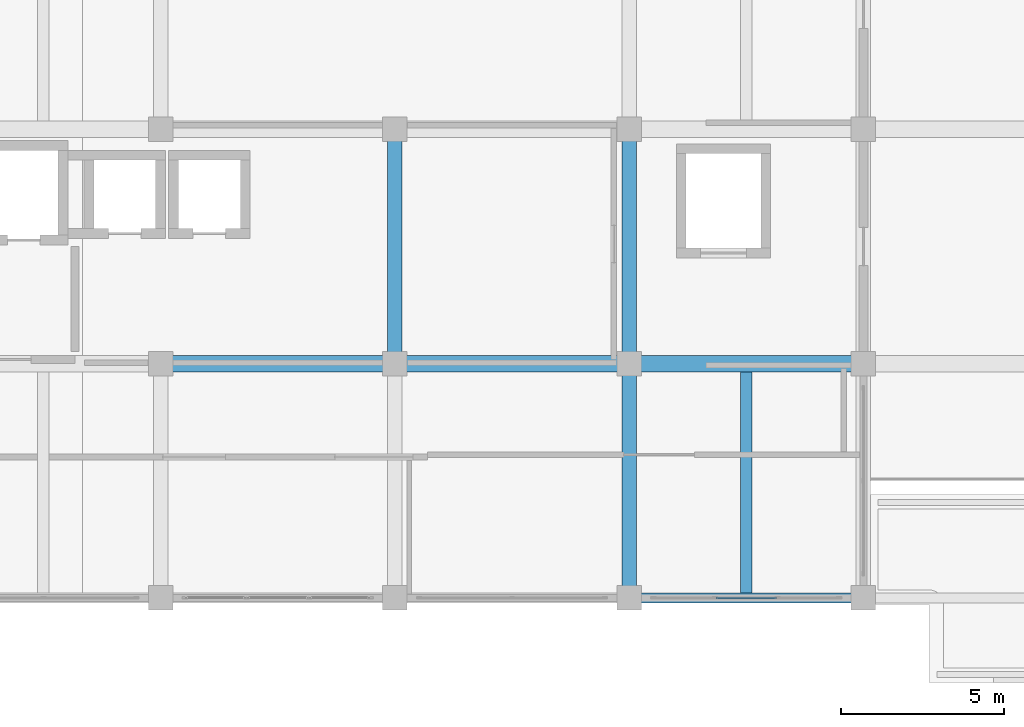
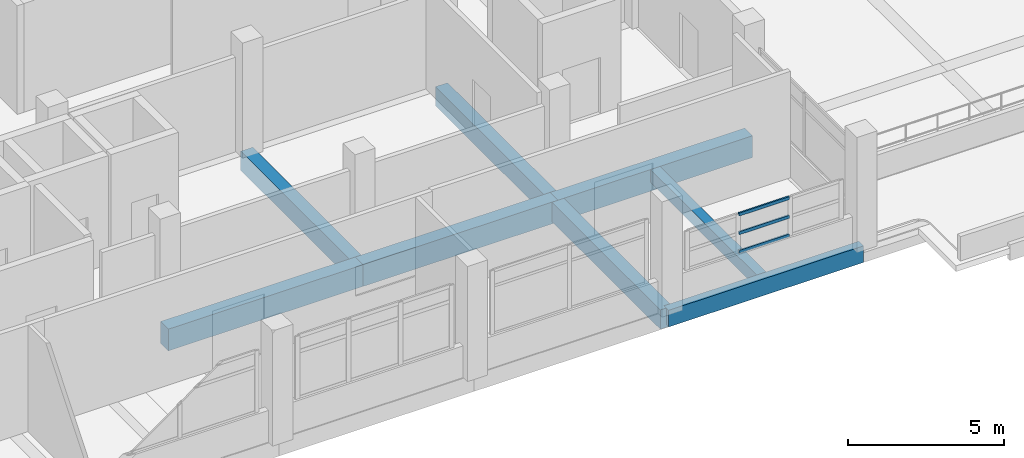
# One storey, part 36 of 141: 8 beams, 3 members, 1 element without a shape of its own.
"""IFC4 building model written with IfcOpenShell, lengths in metres."""

import ifcopenshell
import ifcopenshell.guid

model = None  # the IFC model being written
_history = None  # IfcOwnerHistory: only IFC2X3 demands one
_inside = {}  # id of a spatial element -> (the spatial element, [elements in it])
_under = {}  # id of a project, library or spatial element -> (it, [spatial elements below it])
_declared = {}  # id of a project -> (the project, [libraries it declares])
_typed = {}  # id of a type object -> (the type object, [elements of that type])
_made_of = {}  # id of a material, layer set ... -> (it, [elements and type objects made of it])


def new_model(schema):
    """Start an empty IFC model of exactly this schema.

    Asked for "IFC4X3", IfcOpenShell would pick the latest addendum, in which some entities
    have other attributes; the version numbers below select the first issue.
    IFC2X3 requires an IfcOwnerHistory on every rooted entity: one is made here for all.
    """
    global model, _history
    if schema == "IFC4X3":
        model = ifcopenshell.file(schema_version=(4, 3, 0, 0))
    else:
        model = ifcopenshell.file(schema=schema)
    _inside.clear()
    _under.clear()
    _declared.clear()
    _typed.clear()
    _made_of.clear()
    _history = None
    if model.schema == "IFC2X3":
        org = make("IfcOrganization", Name="unknown")
        user = make(
            "IfcPersonAndOrganization",
            ThePerson=make("IfcPerson", FamilyName="unknown"),
            TheOrganization=org,
        )
        app = make(
            "IfcApplication",
            ApplicationDeveloper=org,
            Version="unknown",
            ApplicationFullName="unknown",
            ApplicationIdentifier="unknown",
        )
        _history = make(
            "IfcOwnerHistory",
            OwningUser=user,
            OwningApplication=app,
            ChangeAction="ADDED",
            CreationDate=0,
        )
    return model


def make(cls, **values):
    """One entity of the class cls with the attributes given. An attribute that is None is left unset."""
    return model.create_entity(
        cls, **{name: value for name, value in values.items() if value is not None}
    )


def rooted(cls, **values):
    """An entity with a GlobalId (a new one), such as an element, a storey or a relation."""
    return make(cls, GlobalId=ifcopenshell.guid.new(), OwnerHistory=_history, **values)


def si_unit(unit_type, name, prefix=None):
    """IfcSIUnit, for example si_unit("LENGTHUNIT", "METRE", prefix="MILLI")."""
    return make("IfcSIUnit", UnitType=unit_type, Prefix=prefix, Name=name)


def assignment(units):
    """IfcUnitAssignment: the units of a project."""
    return None if units is None else make("IfcUnitAssignment", Units=units)


def point(xyz):
    """IfcCartesianPoint."""
    return None if xyz is None else make("IfcCartesianPoint", Coordinates=xyz)


def direction(xyz):
    """IfcDirection."""
    return None if xyz is None else make("IfcDirection", DirectionRatios=xyz)


def frame(location, z_axis=None, x_axis=None):
    """IfcAxis2Placement3D, a coordinate frame: its origin and axes. An axis left out is left unset."""
    return make(
        "IfcAxis2Placement3D",
        Location=point(location),
        Axis=direction(z_axis),
        RefDirection=direction(x_axis),
    )


def frame_2d(location, x_axis=None):
    """IfcAxis2Placement2D, a coordinate frame in the plane: its origin and x axis."""
    return make(
        "IfcAxis2Placement2D", Location=point(location), RefDirection=direction(x_axis)
    )


def origin():
    """The frame at (0, 0, 0) with its axes left unset."""
    return frame((0.0, 0.0, 0.0))


def origin_2d():
    """The frame at (0, 0) in the plane with its x axis left unset."""
    return frame_2d((0.0, 0.0))


def place(relative_to, where):
    """IfcLocalPlacement: puts the frame where relative to a parent placement (None: the world)."""
    return make(
        "IfcLocalPlacement", PlacementRelTo=relative_to, RelativePlacement=where
    )


def context(
    kind, dimensions, precision=None, world=None, true_north=None, identifier=None
):
    """IfcGeometricRepresentationContext, for example the 3D "Model" context."""
    return make(
        "IfcGeometricRepresentationContext",
        ContextIdentifier=identifier,
        ContextType=kind,
        CoordinateSpaceDimension=dimensions,
        Precision=precision,
        WorldCoordinateSystem=world,
        TrueNorth=true_north,
    )


def subcontext(parent, identifier, kind, view, scale=None):
    """IfcGeometricRepresentationSubContext, for example "Body" below "Model"."""
    return make(
        "IfcGeometricRepresentationSubContext",
        ContextIdentifier=identifier,
        ContextType=kind,
        ParentContext=parent,
        TargetScale=scale,
        TargetView=view,
    )


def project(units=None, contexts=None):
    """IfcProject with its units and contexts."""
    return rooted(
        "IfcProject",
        Name="project",
        RepresentationContexts=contexts,
        UnitsInContext=assignment(units),
    )


def spatial(cls, under=None, at=None, **own):
    """A site, building, storey or space (cls), placed at a placement, below another one or the project."""
    s = rooted(cls, ObjectPlacement=at, **own)
    if under is not None:
        _under.setdefault(under.id(), (under, []))[1].append(s)
    return s


def profile(cls, at=None, kind="AREA", **sizes):
    """A parametric profile (cls). Its sizes go by their IFC names, for example OverallWidth=200.0."""
    return make(cls, ProfileType=kind, Position=at, **sizes)


def rectangle(**sizes):
    """IfcRectangleProfileDef."""
    return profile("IfcRectangleProfileDef", **sizes)


def hollow_rectangle(**sizes):
    """IfcRectangleHollowProfileDef."""
    return profile("IfcRectangleHollowProfileDef", **sizes)


def extrude(swept, where, along, depth):
    """IfcExtrudedAreaSolid: the profile swept, set in the frame where, extruded along a direction by depth."""
    return make(
        "IfcExtrudedAreaSolid",
        SweptArea=swept,
        Position=where,
        ExtrudedDirection=direction(along),
        Depth=depth,
    )


def shape(context_of_items, identifier, shape_type, items):
    """IfcShapeRepresentation: the items that make up one representation, for example the "Body"."""
    return make(
        "IfcShapeRepresentation",
        ContextOfItems=context_of_items,
        RepresentationIdentifier=identifier,
        RepresentationType=shape_type,
        Items=items,
    )


def material(Name=None, Category=None):
    """IfcMaterial."""
    return make("IfcMaterial", Name=Name, Category=Category)


def layer(
    of_material, thickness, ventilated=None, Name=None, Category=None, Priority=None
):
    """IfcMaterialLayer: one layer of a wall or slab, of a material (None: an air gap)."""
    return make(
        "IfcMaterialLayer",
        Material=of_material,
        LayerThickness=thickness,
        IsVentilated=ventilated,
        Name=Name,
        Category=Category,
        Priority=Priority,
    )


def layer_set(layers, Name=None):
    """IfcMaterialLayerSet."""
    return make("IfcMaterialLayerSet", MaterialLayers=layers, LayerSetName=Name)


def material_profile(
    of_material, cross_section, Name=None, Category=None, Priority=None
):
    """IfcMaterialProfile: a cross section and its material."""
    return make(
        "IfcMaterialProfile",
        Name=Name,
        Material=of_material,
        Profile=cross_section,
        Priority=Priority,
        Category=Category,
    )


def profile_set(profiles, Name=None, composite=None):
    """IfcMaterialProfileSet."""
    return make(
        "IfcMaterialProfileSet",
        Name=Name,
        MaterialProfiles=profiles,
        CompositeProfile=composite,
    )


def made_of(thing, what):
    """Note that an element or type object is made of a material, layer set ...; save() writes the relation."""
    if what is not None:
        _made_of.setdefault(what.id(), (what, []))[1].append(thing)
    return thing


def type_object(cls, material=None, **own):
    """A type object (cls), such as IfcWallType, which elements share."""
    return made_of(rooted(cls, **own), material)


def element(
    cls,
    number,
    at=None,
    inside=None,
    cuts=None,
    type_object=None,
    material=None,
    context=None,
    identifier="Body",
    shape_type=None,
    held_by="IfcProductDefinitionShape",
    body=None,
    shapes=None,
    **own,
):
    """One element of the class cls, such as IfcWall. Its Tag is "e" and its number.

    at: its placement. inside: the storey or other place that contains it. cuts: it is an
    opening in that element (IfcRelVoidsElement). A single representation is given by context,
    identifier, shape_type and body (its items); several are given by shapes. held_by: the class
    of the entity that holds the representations. save() writes the other relations.
    """
    e = rooted(cls, Tag="e%d" % number, ObjectPlacement=at, **own)
    if body is not None:
        shapes = [shape(context, identifier, shape_type, body)]
    if shapes is not None:
        e.Representation = make(held_by, Representations=shapes)
    if inside is not None:
        _inside.setdefault(inside.id(), (inside, []))[1].append(e)
    if cuts is not None:
        rooted(
            "IfcRelVoidsElement", RelatingBuildingElement=cuts, RelatedOpeningElement=e
        )
    if type_object is not None:
        _typed.setdefault(type_object.id(), (type_object, []))[1].append(e)
    return made_of(e, material)


def aggregate(whole, parts):
    """IfcRelAggregates: a whole, such as a stair, and the parts it consists of."""
    return rooted("IfcRelAggregates", RelatingObject=whole, RelatedObjects=parts)


def save(model, path):
    """Write the relations noted so far, then the file.

    IfcRelAggregates (storeys below a building ...), IfcRelContainedInSpatialStructure (elements
    in a storey), IfcRelDefinesByType, IfcRelAssociatesMaterial and IfcRelDeclares: one each for
    every whole, place, type object, material and project.
    """
    for whole, parts in _under.values():
        aggregate(whole, parts)
    for where, things in _inside.values():
        rooted(
            "IfcRelContainedInSpatialStructure",
            RelatedElements=things,
            RelatingStructure=where,
        )
    for kind, things in _typed.values():
        rooted("IfcRelDefinesByType", RelatedObjects=things, RelatingType=kind)
    for what, things in _made_of.values():
        rooted("IfcRelAssociatesMaterial", RelatedObjects=things, RelatingMaterial=what)
    for by, libraries in _declared.values():
        rooted("IfcRelDeclares", RelatingContext=by, RelatedDefinitions=libraries)
    model.write(path)


model = new_model("IFC4")

# Units and contexts
model_context = context("Model", 3, precision=1e-05, world=origin(), true_north=direction((0.0, 1.0)))
body_context = subcontext(model_context, "Body", "Model", "MODEL_VIEW")
ifc_project = project(units=[si_unit("LENGTHUNIT", "METRE"), si_unit("AREAUNIT", "SQUARE_METRE"), si_unit("VOLUMEUNIT", "CUBIC_METRE"), si_unit("PLANEANGLEUNIT", "RADIAN"), si_unit("MASSUNIT", "GRAM", prefix="KILO")], contexts=[model_context])

# Site, building, storey
site_placement = place(None, origin())
site = spatial("IfcSite", under=ifc_project, at=site_placement, CompositionType="ELEMENT")
building_placement = place(site_placement, origin())
building = spatial("IfcBuilding", under=site, at=building_placement, Name="Seraya Terrace Polytechnic", CompositionType="ELEMENT")
storey_placement = place(building_placement, frame((0.0, 0.0, 14.39990234375)))
storey = spatial("IfcBuildingStorey", under=building, at=storey_placement, Name="L03", CompositionType="ELEMENT", Elevation=14.39990234375)

# Beams
ifc_material_1 = material(Name="Concrete C40/50", Category="concrete")
ifc_material_profile_1 = material_profile(ifc_material_1, rectangle(XDim=0.5, YDim=0.85009765625, at=origin_2d()), Name="RC 500x850")
ifc_profile_set_1 = profile_set([ifc_material_profile_1], Name="Concrete C40/50")
beam_type_1 = type_object("IfcBeamType", Name="BM-05", PredefinedType="BEAM", material=ifc_profile_set_1)
for number, where, z_axis, x_axis, name in (
    (1, (93.60009765625, 7.199951171875, -0.4248046875), (1.0, 0.0, 0.0), (0.0, 1.0, 0.0), "Beam BM-05 L03 X (93.6..100.8, 7.2)"),
    (2, (100.800048828125, 7.199951171875, -0.4248046875), (1.0, 0.0, 0.0), (0.0, 1.0, 0.0), "Beam BM-05 L03 X (100.8..108.0, 7.2)"),
    (3, (108.0, 7.199951171875, -0.4248046875), (1.0, 0.0, 0.0), (0.0, 1.0, 0.0), "Beam BM-05 L03 X (108.0..115.2, 7.2)"),
):
    element("IfcBeam", number, at=place(storey_placement, frame(where, z_axis=z_axis, x_axis=x_axis)), inside=storey, type_object=beam_type_1, Name=name, PredefinedType="BEAM", context=body_context, shape_type="SweptSolid", body=[
        extrude(rectangle(XDim=0.5, YDim=0.85009765625, at=origin_2d()), origin(), (0.0, 0.0, 1.0), 7.199951171875),
    ])
ifc_material_profile_2 = material_profile(ifc_material_1, rectangle(XDim=0.449951171875, YDim=0.75, at=origin_2d()), Name="RC 450x750")
ifc_profile_set_2 = profile_set([ifc_material_profile_2], Name="Concrete C40/50")
beam_type_2 = type_object("IfcBeamType", Name="BM-08", PredefinedType="BEAM", material=ifc_profile_set_2)
for number, where, z_axis, x_axis, name in (
    (4, (100.800048828125, 7.199951171875, -0.375), (0.0, 1.0, 0.0), (-1.0, 0.0, 0.0), "Beam BM-08 L03 Y (100.8, 7.2..14.4)"),
    (5, (108.0, 0.0, -0.375), (0.0, 1.0, 0.0), (-1.0, 0.0, 0.0), "Beam BM-08 L03 Y (108.0, 0.0..7.2)"),
    (6, (108.0, 7.199951171875, -0.375), (0.0, 1.0, 0.0), (-1.0, 0.0, 0.0), "Beam BM-08 L03 Y (108.0, 7.2..14.4)"),
):
    element("IfcBeam", number, at=place(storey_placement, frame(where, z_axis=z_axis, x_axis=x_axis)), inside=storey, type_object=beam_type_2, Name=name, PredefinedType="BEAM", context=body_context, shape_type="SweptSolid", body=[
        extrude(rectangle(XDim=0.449951171875, YDim=0.75, at=origin_2d()), origin(), (0.0, 0.0, 1.0), 7.199951171875),
    ])

# Curtain wall, members
ifc_material_2 = material(Name="Anodised aluminium EN AW-6063 T6", Category="aluminium")
ifc_layer = layer(ifc_material_2, 0.179931640625, Name="CW-26")
ifc_layer_set = layer_set([ifc_layer], Name="Anodised aluminium EN AW-6063 T6")
curtain_wall_type = type_object("IfcCurtainWallType", Name="CW-26", PredefinedType="NOTDEFINED", material=ifc_layer_set)
curtain_wall_placement = place(storey_placement, origin())
curtain_wall = element("IfcCurtainWall", 7, at=curtain_wall_placement, inside=storey, type_object=curtain_wall_type, Name="Unitised curtain wall CW-26 (CW-L03-098)", PredefinedType="NOTDEFINED")
ifc_material_profile_3 = material_profile(ifc_material_2, hollow_rectangle(XDim=0.06005859375, YDim=0.1201171875, WallThickness=0.003173828125, at=origin_2d()), Name="RHS 120x60x3.2")
ifc_profile_set_3 = profile_set([ifc_material_profile_3], Name="Anodised aluminium EN AW-6063 T6")
member_type = type_object("IfcMemberType", Name="CWT-02", PredefinedType="USERDEFINED", material=ifc_profile_set_3)
member_1_placement = place(storey_placement, frame((112.530029296875, 0.0, 1.27001953125), z_axis=(-1.0, 0.0, 0.0), x_axis=(0.0, -1.0, 0.0)))
member_1 = element("IfcMember", 8, at=member_1_placement, type_object=member_type, Name="CW-26 transom 2.1", ObjectType="TRANSOM", PredefinedType="USERDEFINED", context=body_context, shape_type="SweptSolid", body=[
    extrude(hollow_rectangle(XDim=0.06005859375, YDim=0.1201171875, WallThickness=0.003173828125, at=origin_2d()), origin(), (0.0, 0.0, 1.0), 1.860107421875),
])
member_2_placement = place(storey_placement, frame((112.530029296875, 0.0, 2.0), z_axis=(-1.0, 0.0, 0.0), x_axis=(0.0, -1.0, 0.0)))
member_2 = element("IfcMember", 9, at=member_2_placement, type_object=member_type, Name="CW-26 transom 2.2", ObjectType="TRANSOM", PredefinedType="USERDEFINED", context=body_context, shape_type="SweptSolid", body=[
    extrude(hollow_rectangle(XDim=0.06005859375, YDim=0.1201171875, WallThickness=0.003173828125, at=origin_2d()), origin(), (0.0, 0.0, 1.0), 1.860107421875),
])
member_3_placement = place(storey_placement, frame((112.530029296875, 0.0, 2.72998046875), z_axis=(-1.0, 0.0, 0.0), x_axis=(0.0, -1.0, 0.0)))
member_3 = element("IfcMember", 10, at=member_3_placement, type_object=member_type, Name="CW-26 transom 2.3", ObjectType="TRANSOM", PredefinedType="USERDEFINED", context=body_context, shape_type="SweptSolid", body=[
    extrude(hollow_rectangle(XDim=0.06005859375, YDim=0.1201171875, WallThickness=0.003173828125, at=origin_2d()), origin(), (0.0, 0.0, 1.0), 1.860107421875),
])
aggregate(curtain_wall, [member_1, member_2, member_3])

# Beams
ifc_material_profile_4 = material_profile(ifc_material_1, rectangle(XDim=0.35009765625, YDim=0.5, at=origin_2d()), Name="RC 350x500")
ifc_profile_set_4 = profile_set([ifc_material_profile_4], Name="Concrete C40/50")
beam_type_3 = type_object("IfcBeamType", Name="JS-03", PredefinedType="JOIST", material=ifc_profile_set_4)
beam_1_placement = place(storey_placement, frame((111.60009765625, 0.14990234375, -0.25), z_axis=(0.0, 1.0, 0.0), x_axis=(-1.0, 0.0, 0.0)))
element("IfcBeam", 11, at=beam_1_placement, inside=storey, type_object=beam_type_3, Name="Secondary joist JS-03 L03", PredefinedType="JOIST", context=body_context, shape_type="SweptSolid", body=[
    extrude(rectangle(XDim=0.35009765625, YDim=0.5, at=origin_2d()), origin(), (0.0, 0.0, 1.0), 6.800048828125),
])
ifc_material_profile_5 = material_profile(ifc_material_1, rectangle(XDim=0.300048828125, YDim=0.64990234375, at=origin_2d()), Name="RC 300x650")
ifc_profile_set_5 = profile_set([ifc_material_profile_5], Name="Concrete C40/50")
beam_type_4 = type_object("IfcBeamType", Name="SP-01", PredefinedType="SPANDREL", material=ifc_profile_set_5)
beam_2_placement = place(storey_placement, frame((108.0, 0.0, -0.324951171875), z_axis=(1.0, 0.0, 0.0), x_axis=(0.0, 1.0, 0.0)))
element("IfcBeam", 12, at=beam_2_placement, inside=storey, type_object=beam_type_4, Name="Beam SP-01 L03 X (108.0..115.2, 0.0)", PredefinedType="SPANDREL", context=body_context, shape_type="SweptSolid", body=[
    extrude(rectangle(XDim=0.300048828125, YDim=0.64990234375, at=origin_2d()), origin(), (0.0, 0.0, 1.0), 7.199951171875),
])

save(model, "model.ifc")
